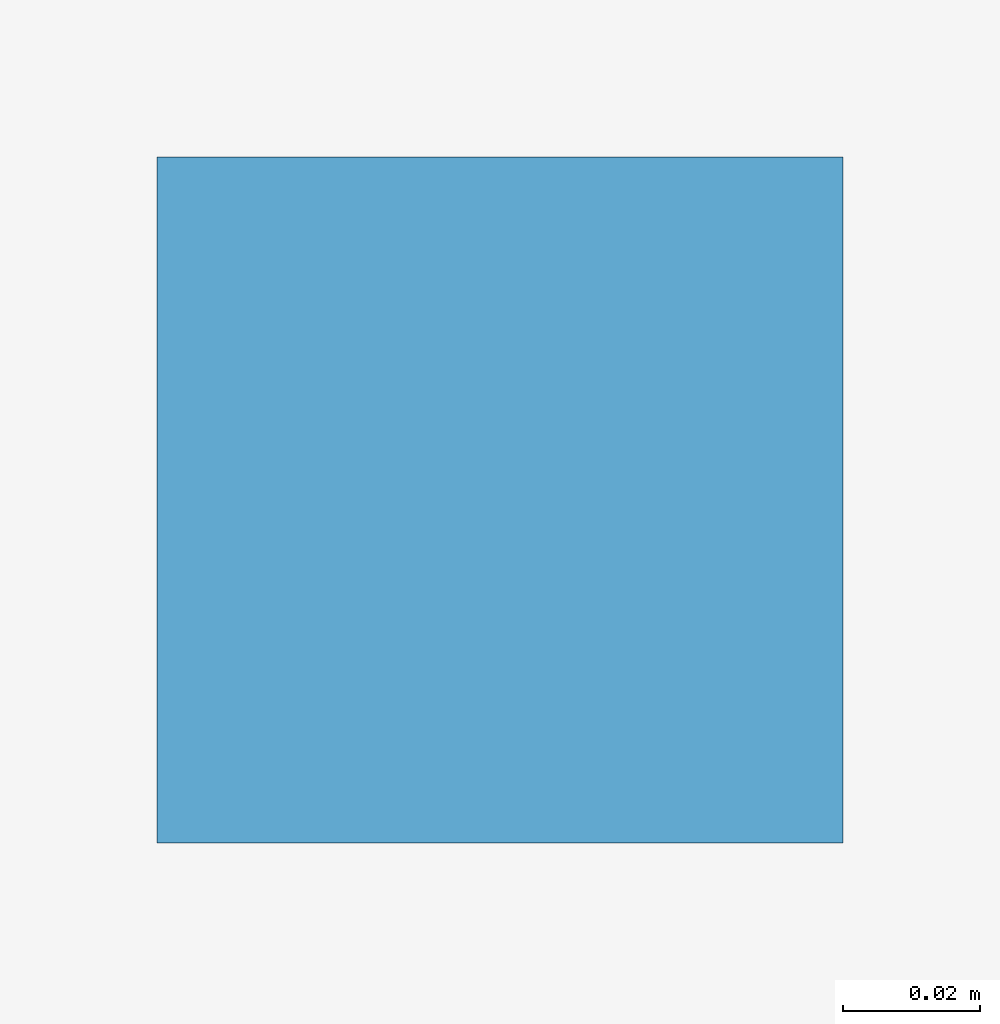
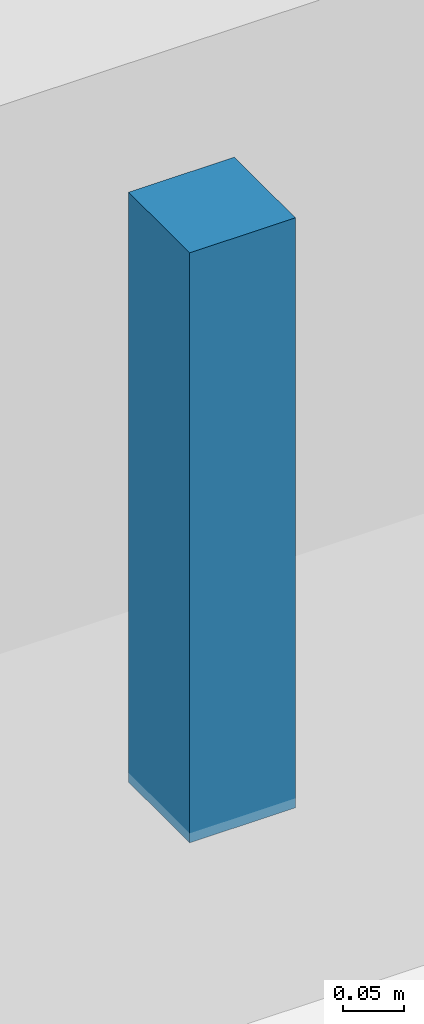
# One storey, part 53 of 122: 1 discrete accessory.
"""IFC4 building model written with IfcOpenShell, lengths in metres."""

from ifc_helpers import new_model, si_unit, direction, frame, origin, origin_2d, place, context, subcontext, project, spatial, rectangle, extrude, material, type_object, element, save


model = new_model("IFC4")

# Units and contexts
model_context = context("Model", 3, precision=1e-05, world=origin(), true_north=direction((0.0, 1.0)))
body_context = subcontext(model_context, "Body", "Model", "MODEL_VIEW")
ifc_project = project(units=[si_unit("LENGTHUNIT", "METRE"), si_unit("AREAUNIT", "SQUARE_METRE"), si_unit("VOLUMEUNIT", "CUBIC_METRE"), si_unit("PLANEANGLEUNIT", "RADIAN"), si_unit("MASSUNIT", "GRAM", prefix="KILO")], contexts=[model_context])

# Site, building, storey
site_placement = place(None, origin())
site = spatial("IfcSite", under=ifc_project, at=site_placement, CompositionType="ELEMENT")
building_placement = place(site_placement, origin())
building = spatial("IfcBuilding", under=site, at=building_placement, Name="Tazoul Stagehouse", CompositionType="ELEMENT")
storey_placement = place(building_placement, frame((0.0, 0.0, 4.800048828125)))
storey = spatial("IfcBuildingStorey", under=building, at=storey_placement, Name="L01", CompositionType="ELEMENT", Elevation=4.800048828125)

# Discrete accessory
ifc_material = material(Name="Austenitic Stainless Steel EN 1.4401", Category="steel")
discrete_accessory_type = type_object("IfcDiscreteAccessoryType", Name="Interior Acoustic Hanger Bracket", PredefinedType="BRACKET", material=ifc_material)
discrete_accessory_placement = place(storey_placement, frame((73.800048828125, 29.700927734375, 3.3798828125), z_axis=(0.0, 0.0, 1.0), x_axis=(1.0, 0.0, 0.0)))
element("IfcDiscreteAccessory", 1, at=discrete_accessory_placement, inside=storey, type_object=discrete_accessory_type, Name="L01 L01 Dress Circle Foyer Circulation Ceiling Suspension Bracket", PredefinedType="BRACKET", context=body_context, shape_type="SweptSolid", body=[
    extrude(rectangle(XDim=0.10009765625, YDim=0.10009765625, at=origin_2d()), origin(), (0.0, 0.0, 1.0), 0.590087890625),
])

save(model, "model.ifc")
